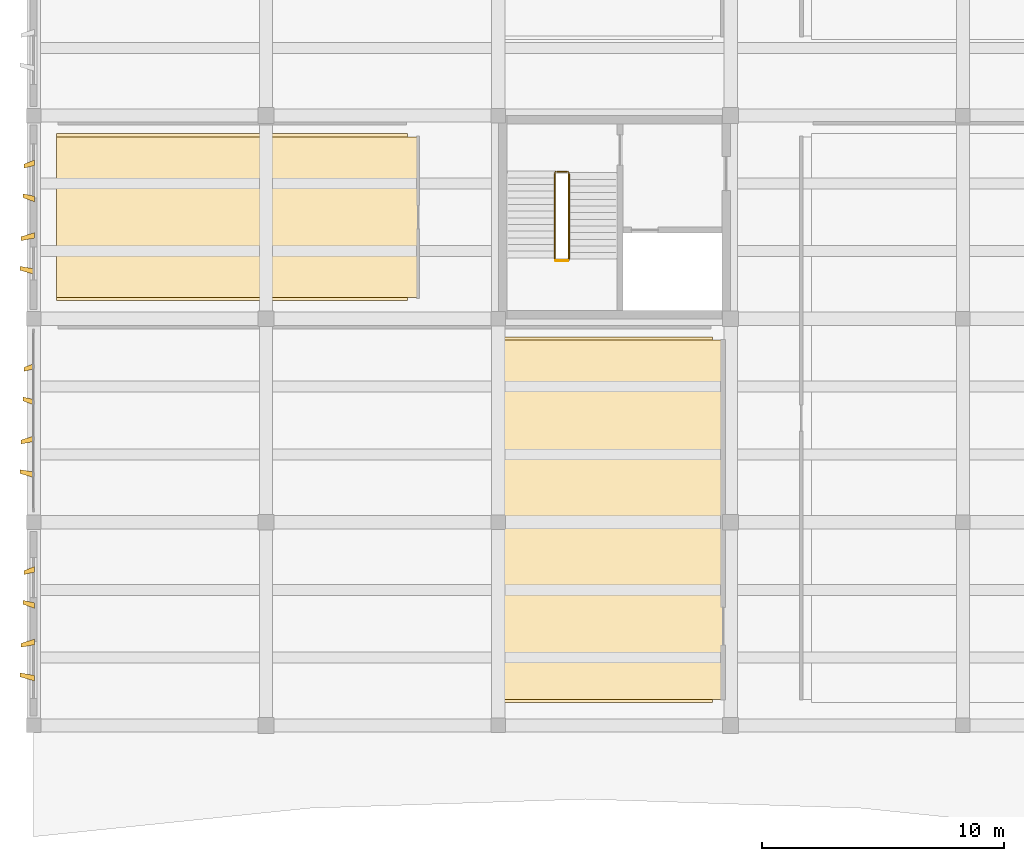
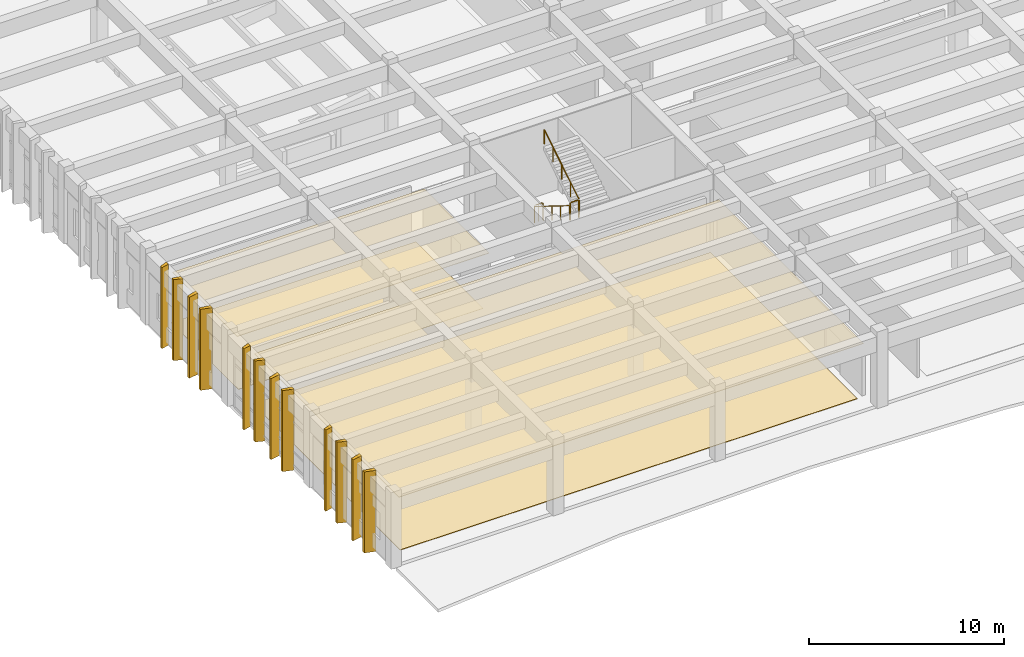
# One storey, part 73 of 86: 16 coverings, 4 railings.
"""IFC4 building model written with IfcOpenShell, lengths in metres."""

from ifc_helpers import new_model, si_unit, direction, frame, origin, origin_2d, place, context, subcontext, project, spatial, polyline, circle, outline, extrude, material, layer, layer_set, type_object, element, save


model = new_model("IFC4")

# Units and contexts
model_context = context("Model", 3, precision=1e-05, world=origin(), true_north=direction((0.0, 1.0)))
body_context = subcontext(model_context, "Body", "Model", "MODEL_VIEW")
ifc_project = project(units=[si_unit("LENGTHUNIT", "METRE"), si_unit("AREAUNIT", "SQUARE_METRE"), si_unit("VOLUMEUNIT", "CUBIC_METRE"), si_unit("PLANEANGLEUNIT", "RADIAN"), si_unit("MASSUNIT", "GRAM", prefix="KILO")], contexts=[model_context])

# Site, building, storey
site_placement = place(None, origin())
site = spatial("IfcSite", under=ifc_project, at=site_placement, CompositionType="ELEMENT")
building_placement = place(site_placement, origin())
building = spatial("IfcBuilding", under=site, at=building_placement, Name="Kolvemor Railside Polytechnic", CompositionType="ELEMENT")
storey_placement = place(building_placement, frame((0.0, 0.0, 5.39990234375)))
storey = spatial("IfcBuildingStorey", under=building, at=storey_placement, Name="L01", CompositionType="ELEMENT", Elevation=5.39990234375)

# Coverings
ifc_material_1 = material(Name="Perforated acoustic mineral-fibre and timber-slat ceiling", Category="wood")
ifc_layer_1 = layer(ifc_material_1, 0.02490234375, Name="COV-CEIL-1")
ifc_layer_set_1 = layer_set([ifc_layer_1], Name="Perforated acoustic mineral-fibre and timber-slat ceiling")
covering_type_1 = type_object("IfcCoveringType", Name="COV-CEIL-1", PredefinedType="CEILING", material=ifc_layer_set_1)
covering_1_placement = place(storey_placement, frame((0.0, 0.0, 3.235107421875)))
element("IfcCovering", 1, at=covering_1_placement, inside=storey, type_object=covering_type_1, Name="West Wing Public and Accessible WC L01 Acoustic Ceiling", PredefinedType="CEILING", context=body_context, shape_type="SweptSolid", body=[
    extrude(outline(polyline([(0.949951171875, 22.47998046875), (15.8798828125, 22.47998046875), (15.8798828125, 29.1201171875), (0.949951171875, 29.1201171875), (0.949951171875, 22.47998046875)])), origin(), (0.0, 0.0, 1.0), 0.02490234375),
])
ifc_material_2 = material(Name="Perforated acoustic mineral-fibre and timber-slat ceiling", Category="wood")
ifc_layer_2 = layer(ifc_material_2, 0.034912109375, Name="COV-CEIL-3")
ifc_layer_set_2 = layer_set([ifc_layer_2], Name="Perforated acoustic mineral-fibre and timber-slat ceiling")
covering_type_2 = type_object("IfcCoveringType", Name="COV-CEIL-3", PredefinedType="CEILING", material=ifc_layer_set_2)
covering_2_placement = place(storey_placement, frame((0.0, 0.0, 3.22509765625)))
element("IfcCovering", 2, at=covering_2_placement, inside=storey, type_object=covering_type_2, Name="Lecture Theatre LT-4 Acoustic Ceiling", PredefinedType="CEILING", context=body_context, shape_type="SweptSolid", body=[
    extrude(outline(polyline([(0.949951171875, 5.8798828125), (28.47998046875, 5.8798828125), (28.47998046875, 20.719970703125), (0.949951171875, 20.719970703125), (0.949951171875, 5.8798828125)])), origin(), (0.0, 0.0, 1.0), 0.034912109375),
])
ifc_material_3 = material(Name="Champagne-bronze PVDF-anodised marine aluminium 5052-H32", Category="aluminium")
ifc_layer_3 = layer(ifc_material_3, 0.179931640625, Name="COV-FIN-CHAMP")
ifc_layer_set_3 = layer_set([ifc_layer_3], Name="Champagne-bronze PVDF-anodised marine aluminium 5052-H32")
covering_type_3 = type_object("IfcCoveringType", Name="COV-FIN-CHAMP", PredefinedType="CLADDING", material=ifc_layer_set_3)
covering_3_placement = place(storey_placement, frame((0.0, 0.0, -0.27978515625)))
element("IfcCovering", 3, at=covering_3_placement, inside=storey, type_object=covering_type_3, Name="Pleated Solar Fin L01-0064", PredefinedType="CLADDING", context=body_context, shape_type="SweptSolid", body=[
    extrude(outline(polyline([(0.034912109375, 6.635009765625), (0.034912109375, 6.864990234375), (-0.56396484375, 6.969970703125), (-0.56396484375, 6.81005859375), (0.034912109375, 6.635009765625)])), origin(), (0.0, 0.0, 1.0), 5.079833984375),
])
covering_4_placement = place(storey_placement, frame((0.0, 0.0, -0.27978515625)))
element("IfcCovering", 4, at=covering_4_placement, inside=storey, type_object=covering_type_3, Name="Pleated Solar Fin L01-0065", PredefinedType="CLADDING", context=body_context, shape_type="SweptSolid", body=[
    extrude(outline(polyline([(0.034912109375, 8.135009765625), (0.034912109375, 8.364990234375), (-0.528076171875, 8.18994140625), (-0.528076171875, 8.030029296875), (0.034912109375, 8.135009765625)])), origin(), (0.0, 0.0, 1.0), 5.079833984375),
])
covering_5_placement = place(storey_placement, frame((0.0, 0.0, -0.27978515625)))
element("IfcCovering", 5, at=covering_5_placement, inside=storey, type_object=covering_type_3, Name="Pleated Solar Fin L01-0066", PredefinedType="CLADDING", context=body_context, shape_type="SweptSolid", body=[
    extrude(outline(polyline([(0.034912109375, 9.635009765625), (0.034912109375, 9.864990234375), (-0.44189453125, 9.969970703125), (-0.44189453125, 9.81005859375), (0.034912109375, 9.635009765625)])), origin(), (0.0, 0.0, 1.0), 5.079833984375),
])
covering_6_placement = place(storey_placement, frame((0.0, 0.0, -0.27978515625)))
element("IfcCovering", 6, at=covering_6_placement, inside=storey, type_object=covering_type_3, Name="Pleated Solar Fin L01-0067", PredefinedType="CLADDING", context=body_context, shape_type="SweptSolid", body=[
    extrude(outline(polyline([(0.034912109375, 11.135009765625), (0.034912109375, 11.364990234375), (-0.406005859375, 11.18994140625), (-0.406005859375, 11.030029296875), (0.034912109375, 11.135009765625)])), origin(), (0.0, 0.0, 1.0), 5.079833984375),
])
covering_7_placement = place(storey_placement, frame((0.0, 0.0, -0.27978515625)))
element("IfcCovering", 7, at=covering_7_placement, inside=storey, type_object=covering_type_3, Name="Pleated Solar Fin L01-0072", PredefinedType="CLADDING", context=body_context, shape_type="SweptSolid", body=[
    extrude(outline(polyline([(0.034912109375, 15.034912109375), (0.034912109375, 15.264892578125), (-0.56396484375, 15.3701171875), (-0.56396484375, 15.2099609375), (0.034912109375, 15.034912109375)])), origin(), (0.0, 0.0, 1.0), 5.079833984375),
])
covering_8_placement = place(storey_placement, frame((0.0, 0.0, -0.27978515625)))
element("IfcCovering", 8, at=covering_8_placement, inside=storey, type_object=covering_type_3, Name="Pleated Solar Fin L01-0073", PredefinedType="CLADDING", context=body_context, shape_type="SweptSolid", body=[
    extrude(outline(polyline([(0.034912109375, 16.534912109375), (0.034912109375, 16.764892578125), (-0.528076171875, 16.590087890625), (-0.528076171875, 16.429931640625), (0.034912109375, 16.534912109375)])), origin(), (0.0, 0.0, 1.0), 5.079833984375),
])
covering_9_placement = place(storey_placement, frame((0.0, 0.0, -0.27978515625)))
element("IfcCovering", 9, at=covering_9_placement, inside=storey, type_object=covering_type_3, Name="Pleated Solar Fin L01-0074", PredefinedType="CLADDING", context=body_context, shape_type="SweptSolid", body=[
    extrude(outline(polyline([(0.034912109375, 18.034912109375), (0.034912109375, 18.264892578125), (-0.44189453125, 18.3701171875), (-0.44189453125, 18.2099609375), (0.034912109375, 18.034912109375)])), origin(), (0.0, 0.0, 1.0), 5.079833984375),
])
covering_10_placement = place(storey_placement, frame((0.0, 0.0, -0.27978515625)))
element("IfcCovering", 10, at=covering_10_placement, inside=storey, type_object=covering_type_3, Name="Pleated Solar Fin L01-0075", PredefinedType="CLADDING", context=body_context, shape_type="SweptSolid", body=[
    extrude(outline(polyline([(0.034912109375, 19.534912109375), (0.034912109375, 19.764892578125), (-0.406005859375, 19.590087890625), (-0.406005859375, 19.429931640625), (0.034912109375, 19.534912109375)])), origin(), (0.0, 0.0, 1.0), 5.079833984375),
])
covering_11_placement = place(storey_placement, frame((0.0, 0.0, -0.27978515625)))
element("IfcCovering", 11, at=covering_11_placement, inside=storey, type_object=covering_type_3, Name="Pleated Solar Fin L01-0097", PredefinedType="CLADDING", context=body_context, shape_type="SweptSolid", body=[
    extrude(outline(polyline([(0.034912109375, 23.43505859375), (0.034912109375, 23.6650390625), (-0.56396484375, 23.77001953125), (-0.56396484375, 23.610107421875), (0.034912109375, 23.43505859375)])), origin(), (0.0, 0.0, 1.0), 5.079833984375),
])
covering_12_placement = place(storey_placement, frame((0.0, 0.0, -0.27978515625)))
element("IfcCovering", 12, at=covering_12_placement, inside=storey, type_object=covering_type_3, Name="Pleated Solar Fin L01-0098", PredefinedType="CLADDING", context=body_context, shape_type="SweptSolid", body=[
    extrude(outline(polyline([(0.034912109375, 24.93505859375), (0.034912109375, 25.1650390625), (-0.528076171875, 24.989990234375), (-0.528076171875, 24.830078125), (0.034912109375, 24.93505859375)])), origin(), (0.0, 0.0, 1.0), 5.079833984375),
])
covering_13_placement = place(storey_placement, frame((0.0, 0.0, -0.27978515625)))
element("IfcCovering", 13, at=covering_13_placement, inside=storey, type_object=covering_type_3, Name="Pleated Solar Fin L01-0099", PredefinedType="CLADDING", context=body_context, shape_type="SweptSolid", body=[
    extrude(outline(polyline([(0.034912109375, 26.43505859375), (0.034912109375, 26.6650390625), (-0.44189453125, 26.77001953125), (-0.44189453125, 26.610107421875), (0.034912109375, 26.43505859375)])), origin(), (0.0, 0.0, 1.0), 5.079833984375),
])
covering_14_placement = place(storey_placement, frame((0.0, 0.0, -0.27978515625)))
element("IfcCovering", 14, at=covering_14_placement, inside=storey, type_object=covering_type_3, Name="Pleated Solar Fin L01-0100", PredefinedType="CLADDING", context=body_context, shape_type="SweptSolid", body=[
    extrude(outline(polyline([(0.034912109375, 27.93505859375), (0.034912109375, 28.1650390625), (-0.406005859375, 27.989990234375), (-0.406005859375, 27.830078125), (0.034912109375, 27.93505859375)])), origin(), (0.0, 0.0, 1.0), 5.079833984375),
])
ifc_material_4 = material(Name="Polished coral-aggregate terrazzo and laboratory epoxy flooring")
ifc_layer_4 = layer(ifc_material_4, 0.02001953125, Name="COV-FLR-1")
ifc_layer_set_4 = layer_set([ifc_layer_4], Name="Polished coral-aggregate terrazzo and laboratory epoxy flooring")
covering_type_4 = type_object("IfcCoveringType", Name="COV-FLR-1", PredefinedType="FLOORING", material=ifc_layer_set_4)
covering_15_placement = place(storey_placement, origin())
element("IfcCovering", 15, at=covering_15_placement, inside=storey, type_object=covering_type_4, Name="West Wing Public and Accessible WC L01 Floor Finish", PredefinedType="FLOORING", context=body_context, shape_type="SweptSolid", body=[
    extrude(outline(polyline([(0.949951171875, 22.35009765625), (15.449951171875, 22.35009765625), (15.449951171875, 29.25), (0.949951171875, 29.25), (0.949951171875, 22.35009765625)])), origin(), (0.0, 0.0, 1.0), 0.02001953125),
])
ifc_material_5 = material(Name="Polished coral-aggregate terrazzo and laboratory epoxy flooring")
ifc_layer_5 = layer(ifc_material_5, 0.030029296875, Name="COV-FLR-3")
ifc_layer_set_5 = layer_set([ifc_layer_5], Name="Polished coral-aggregate terrazzo and laboratory epoxy flooring")
covering_type_5 = type_object("IfcCoveringType", Name="COV-FLR-3", PredefinedType="FLOORING", material=ifc_layer_set_5)
covering_16_placement = place(storey_placement, origin())
element("IfcCovering", 16, at=covering_16_placement, inside=storey, type_object=covering_type_5, Name="Lecture Theatre LT-4 Floor Finish", PredefinedType="FLOORING", context=body_context, shape_type="SweptSolid", body=[
    extrude(outline(polyline([(0.949951171875, 5.75), (28.050048828125, 5.75), (28.050048828125, 20.85009765625), (0.949951171875, 20.85009765625), (0.949951171875, 5.75)])), origin(), (0.0, 0.0, 1.0), 0.030029296875),
])

# Railings
ifc_material_6 = material(Name="AISI 316 marine stainless-steel balustrade guard", Category="steel")
railing_type_1 = type_object("IfcRailingType", Name="RLG-GUARD-1120", PredefinedType="BALUSTRADE", material=ifc_material_6)
railing_1_placement = place(storey_placement, frame((21.580078125, 27.679931640625, 0.0)))
element("IfcRailing", 17, at=railing_1_placement, inside=storey, type_object=railing_type_1, Name="ST-4 Floor Slot Guard L01", PredefinedType="BALUSTRADE", context=body_context, shape_type="SweptSolid", body=[
    extrude(circle(Radius=0.02392578125, at=origin_2d()), frame((0.054931640625, 0.0, 1.09619140625), z_axis=(1.0, 0.0, 0.0), x_axis=(0.0, 1.0, 0.0)), (0.0, 0.0, 1.0), 0.389892578125),
    extrude(circle(Radius=0.02099609375, at=origin_2d()), origin(), (0.0, 0.0, 1.0), 1.05712890625),
    extrude(circle(Radius=0.02099609375, at=origin_2d()), frame((0.25, 0.0, 0.0)), (0.0, 0.0, 1.0), 1.05712890625),
    extrude(circle(Radius=0.02099609375, at=origin_2d()), frame((0.5, 0.0, 0.0)), (0.0, 0.0, 1.0), 1.05712890625),
])
railing_2_placement = place(storey_placement, frame((21.580078125, 24.0048828125, 2.400146484375)))
element("IfcRailing", 18, at=railing_2_placement, inside=storey, type_object=railing_type_1, Name="ST-4 Half-Landing Slot Guard L01", PredefinedType="BALUSTRADE", context=body_context, shape_type="SweptSolid", body=[
    extrude(circle(Radius=0.02392578125, at=origin_2d()), frame((0.054931640625, 0.0, 1.09619140625), z_axis=(1.0, 0.0, 0.0), x_axis=(0.0, 1.0, 0.0)), (0.0, 0.0, 1.0), 0.389892578125),
    extrude(circle(Radius=0.02099609375, at=origin_2d()), origin(), (0.0, 0.0, 1.0), 1.05712890625),
    extrude(circle(Radius=0.02099609375, at=origin_2d()), frame((0.5, 0.0, 0.0)), (0.0, 0.0, 1.0), 1.05712890625),
])
ifc_material_7 = material(Name="Brushed AISI 316 stainless-steel stair handrail", Category="steel")
railing_type_2 = type_object("IfcRailingType", Name="RLG-HANDRAIL-920", PredefinedType="HANDRAIL", material=ifc_material_7)
railing_3_placement = place(storey_placement, frame((21.5400390625, 27.6201171875, 0.171630859375)))
element("IfcRailing", 19, at=railing_3_placement, inside=storey, type_object=railing_type_2, Name="ST-4 Flight 1 Handrail L01", PredefinedType="HANDRAIL", context=body_context, shape_type="SweptSolid", body=[
    extrude(circle(Radius=0.02392578125, at=origin_2d()), frame((0.0, -0.046630859375, 0.925048828125), z_axis=(0.0, -0.848635802536, 0.528977574812), x_axis=(1.0, 0.0, 0.0)), (0.0, 0.0, 1.0), 4.102783203125),
    extrude(circle(Radius=0.02099609375, at=origin_2d()), origin(), (0.0, 0.0, 1.0), 0.85693359375),
    extrude(circle(Radius=0.02099609375, at=origin_2d()), frame((0.0, -0.893798828125, 0.55712890625)), (0.0, 0.0, 1.0), 0.85693359375),
    extrude(circle(Radius=0.02099609375, at=origin_2d()), frame((0.0, -1.78759765625, 1.1142578125)), (0.0, 0.0, 1.0), 0.85693359375),
    extrude(circle(Radius=0.02099609375, at=origin_2d()), frame((0.0, -2.681396484375, 1.67138671875)), (0.0, 0.0, 1.0), 0.85693359375),
    extrude(circle(Radius=0.02099609375, at=origin_2d()), frame((0.0, -3.5751953125, 2.228515625)), (0.0, 0.0, 1.0), 0.85693359375),
])
railing_4_placement = place(storey_placement, frame((22.1201171875, 24.044921875, 2.571533203125)))
element("IfcRailing", 20, at=railing_4_placement, inside=storey, type_object=railing_type_2, Name="ST-4 Flight 2 Handrail L01", PredefinedType="HANDRAIL", context=body_context, shape_type="SweptSolid", body=[
    extrude(circle(Radius=0.02392578125, at=origin_2d()), frame((0.0, 0.046630859375, 0.925048828125), z_axis=(0.0, 0.848635802536, 0.528977574812), x_axis=(-1.0, 0.0, 0.0)), (0.0, 0.0, 1.0), 4.102783203125),
    extrude(circle(Radius=0.02099609375, at=origin_2d()), origin(), (0.0, 0.0, 1.0), 0.85693359375),
    extrude(circle(Radius=0.02099609375, at=origin_2d()), frame((0.0, 0.893798828125, 0.55712890625)), (0.0, 0.0, 1.0), 0.85693359375),
    extrude(circle(Radius=0.02099609375, at=origin_2d()), frame((0.0, 1.78759765625, 1.1142578125)), (0.0, 0.0, 1.0), 0.85693359375),
    extrude(circle(Radius=0.02099609375, at=origin_2d()), frame((0.0, 2.681396484375, 1.67138671875)), (0.0, 0.0, 1.0), 0.85693359375),
    extrude(circle(Radius=0.02099609375, at=origin_2d()), frame((0.0, 3.5751953125, 2.228515625)), (0.0, 0.0, 1.0), 0.85693359375),
])

save(model, "model.ifc")
